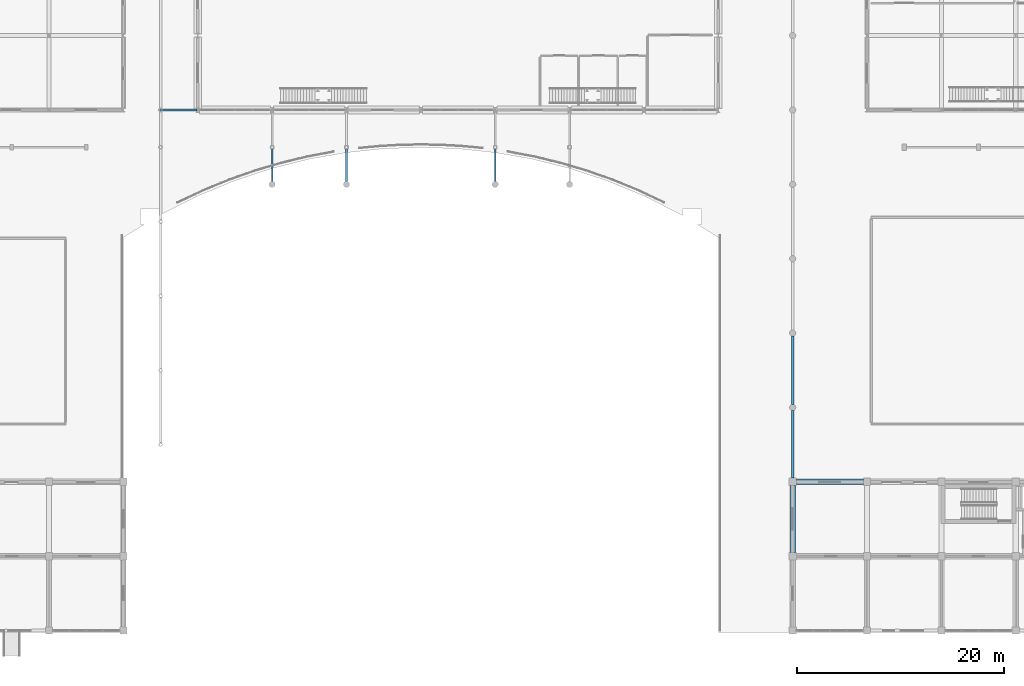
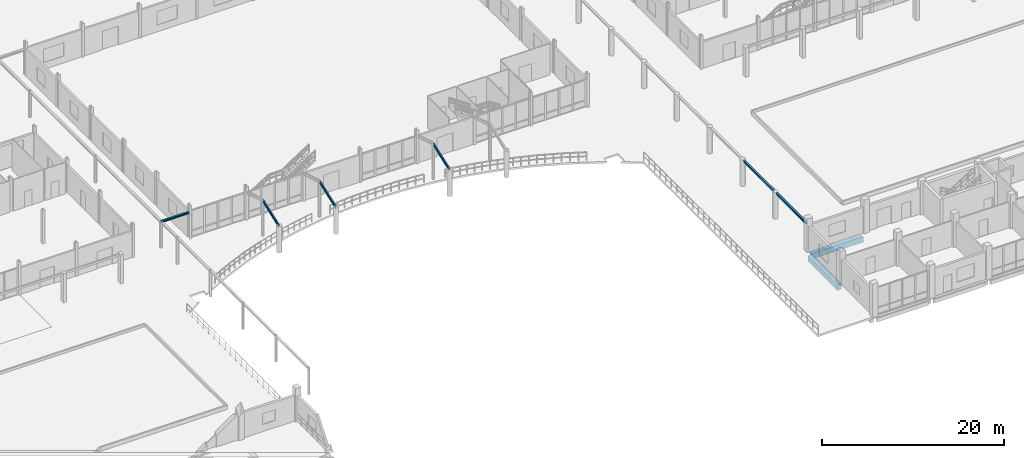
# One storey, part 36 of 139: 8 beams.
"""IFC4 building model written with IfcOpenShell, lengths in metres."""

from ifc_helpers import new_model, si_unit, direction, frame, origin, origin_2d, place, context, subcontext, project, spatial, rectangle, i_section, extrude, material, material_profile, profile_set, type_object, element, save


model = new_model("IFC4")

# Units and contexts
model_context = context("Model", 3, precision=1e-05, world=origin(), true_north=direction((0.0, 1.0)))
body_context = subcontext(model_context, "Body", "Model", "MODEL_VIEW")
ifc_project = project(units=[si_unit("LENGTHUNIT", "METRE"), si_unit("AREAUNIT", "SQUARE_METRE"), si_unit("VOLUMEUNIT", "CUBIC_METRE"), si_unit("PLANEANGLEUNIT", "RADIAN"), si_unit("MASSUNIT", "GRAM", prefix="KILO")], contexts=[model_context])

# Site, building, storey
site_placement = place(None, origin())
site = spatial("IfcSite", under=ifc_project, at=site_placement, CompositionType="ELEMENT")
building_placement = place(site_placement, origin())
building = spatial("IfcBuilding", under=site, at=building_placement, Name="Suanplinth Sawtooth Commons", CompositionType="ELEMENT")
storey_placement = place(building_placement, origin())
storey = spatial("IfcBuildingStorey", under=building, at=storey_placement, Name="L00", CompositionType="ELEMENT", Elevation=0.0)

# Beams
ifc_material_1 = material(Name="Concrete C40/50", Category="concrete")
ifc_material_profile_1 = material_profile(ifc_material_1, rectangle(XDim=0.5, YDim=0.75, at=origin_2d()), Name="RC-GDR 500x750")
ifc_profile_set_1 = profile_set([ifc_material_profile_1], Name="Concrete C40/50")
beam_type_1 = type_object("IfcBeamType", Name="B-03", PredefinedType="USERDEFINED", material=ifc_profile_set_1)
for number, where, z_axis, x_axis, name in (
    (1, (122.75, 14.39990234375, -0.794921875), (1.0, 0.0, 0.0), (0.0, 1.0, 0.0), "BMX-L00-C-17-2"),
    (2, (122.39990234375, 7.550048828125, -0.794921875), (0.0, 1.0, 0.0), (-1.0, 0.0, 0.0), "BMY-L00-C-17-1"),
):
    element("IfcBeam", number, at=place(storey_placement, frame(where, z_axis=z_axis, x_axis=x_axis)), inside=storey, type_object=beam_type_1, Name=name, ObjectType="GIRDER", PredefinedType="USERDEFINED", context=body_context, shape_type="SweptSolid", body=[
        extrude(rectangle(XDim=0.5, YDim=0.75, at=origin_2d()), origin(), (0.0, 0.0, 1.0), 6.5),
    ])
ifc_material_2 = material(Name="Steel S355JR", Category="steel")
ifc_material_profile_2 = material_profile(ifc_material_2, i_section(OverallWidth=0.14990234375, OverallDepth=0.300048828125, WebThickness=0.007080078125, FlangeThickness=0.0107421875, at=origin_2d()), Name="IPE 300")
ifc_profile_set_2 = profile_set([ifc_material_profile_2], Name="Steel S355JR")
beam_type_2 = type_object("IfcBeamType", Name="B-13", PredefinedType="BEAM", material=ifc_profile_set_2)
for number, where, z_axis, x_axis, name in (
    (3, (72.0, 43.199951171875, 3.39990234375), (0.0, 0.939016081752, 0.343873229856), (-1.0, 0.0, 0.0), "Metro Portal Rafter S 11"),
    (4, (79.199951171875, 43.199951171875, 3.39990234375), (0.0, 0.939016081752, 0.343873229856), (-1.0, 0.0, 0.0), "Metro Portal Rafter S 12"),
    (5, (93.60009765625, 43.199951171875, 3.39990234375), (0.0, 0.939016081752, 0.343873229856), (-1.0, 0.0, 0.0), "Metro Portal Rafter S 14"),
):
    element("IfcBeam", number, at=place(storey_placement, frame(where, z_axis=z_axis, x_axis=x_axis)), inside=storey, type_object=beam_type_2, Name=name, PredefinedType="BEAM", context=body_context, shape_type="SweptSolid", body=[
        extrude(i_section(OverallWidth=0.14990234375, OverallDepth=0.300048828125, WebThickness=0.007080078125, FlangeThickness=0.0107421875, at=origin_2d()), origin(), (0.0, 0.0, 1.0), 3.780517578125),
    ])
ifc_material_profile_3 = material_profile(ifc_material_2, i_section(OverallWidth=0.239990234375, OverallDepth=0.22998046875, WebThickness=0.007568359375, FlangeThickness=0.011962890625, at=origin_2d()), Name="HEA 240")
ifc_profile_set_3 = profile_set([ifc_material_profile_3], Name="Steel S355JR")
beam_type_3 = type_object("IfcBeamType", Name="B-17", PredefinedType="BEAM", material=ifc_profile_set_3)
beam_1_placement = place(storey_placement, frame((61.199951171875, 50.39990234375, 3.43994140625), z_axis=(1.0, 0.0, 0.0), x_axis=(0.0, 1.0, 0.0)))
element("IfcBeam", 6, at=beam_1_placement, inside=storey, type_object=beam_type_3, Name="West Breezeway Tie Beam 1", PredefinedType="BEAM", context=body_context, shape_type="SweptSolid", body=[
    extrude(i_section(OverallWidth=0.239990234375, OverallDepth=0.22998046875, WebThickness=0.007568359375, FlangeThickness=0.011962890625, at=origin_2d()), origin(), (0.0, 0.0, 1.0), 3.52001953125),
])
beam_2_placement = place(storey_placement, frame((122.39990234375, 14.75, 3.43505859375), z_axis=(0.0, 1.0, 0.0), x_axis=(-1.0, 0.0, 0.0)))
element("IfcBeam", 7, at=beam_2_placement, inside=storey, type_object=beam_type_3, Name="BM-EBZ-SPINE-2", PredefinedType="BEAM", context=body_context, shape_type="SweptSolid", body=[
    extrude(i_section(OverallWidth=0.239990234375, OverallDepth=0.22998046875, WebThickness=0.007568359375, FlangeThickness=0.011962890625, at=origin_2d()), origin(), (0.0, 0.0, 1.0), 6.550048828125),
])
beam_3_placement = place(storey_placement, frame((122.39990234375, 21.89990234375, 3.43505859375), z_axis=(0.0, 1.0, 0.0), x_axis=(-1.0, 0.0, 0.0)))
element("IfcBeam", 8, at=beam_3_placement, inside=storey, type_object=beam_type_3, Name="BM-EBZ-SPINE-3", PredefinedType="BEAM", context=body_context, shape_type="SweptSolid", body=[
    extrude(i_section(OverallWidth=0.239990234375, OverallDepth=0.22998046875, WebThickness=0.007568359375, FlangeThickness=0.011962890625, at=origin_2d()), origin(), (0.0, 0.0, 1.0), 6.60009765625),
])

save(model, "model.ifc")
